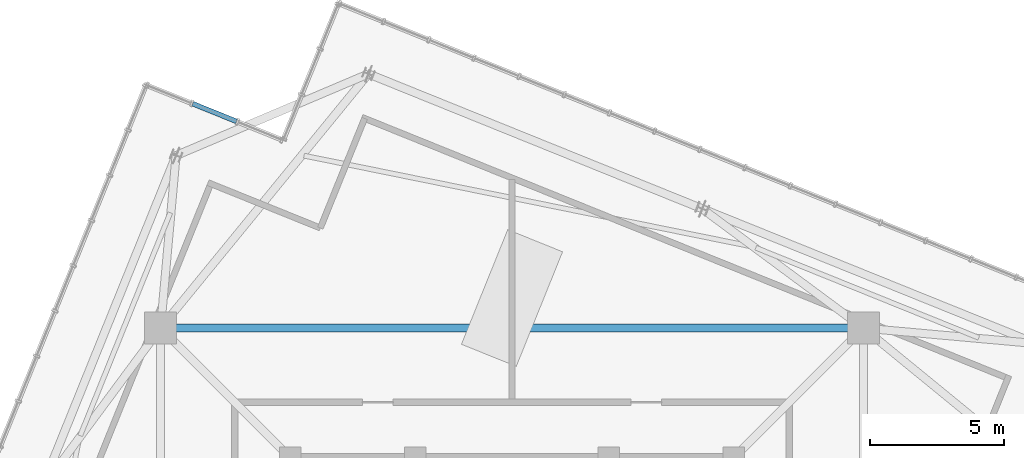
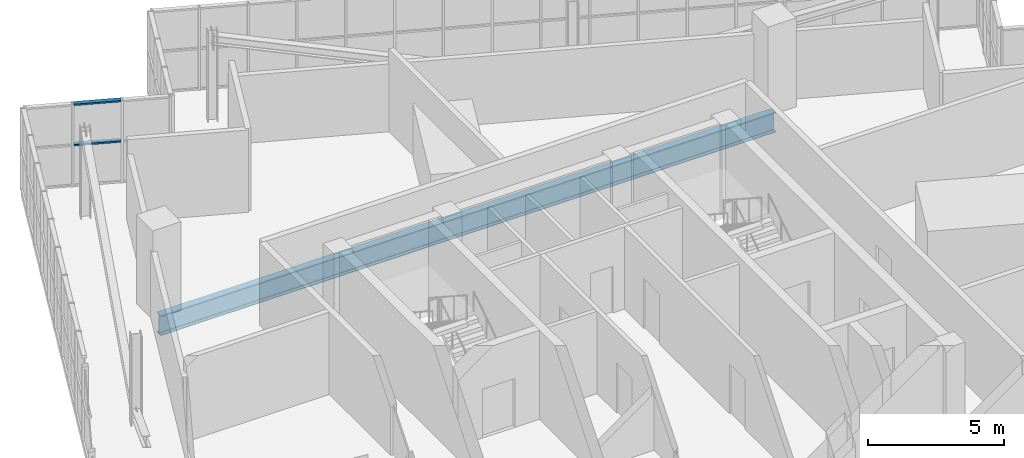
# One storey, part 13 of 26: 2 members, 1 beam, 1 element without a shape of its own.
"""IFC4 building model written with IfcOpenShell, lengths in metres."""

from ifc_helpers import new_model, si_unit, direction, frame, origin, origin_2d, place, context, subcontext, project, spatial, hollow_rectangle, i_section, extrude, source, transform, mapped, material, layer, layer_set, material_profile, profile_set, type_object, element, aggregate, save


model = new_model("IFC4")

# Units and contexts
model_context = context("Model", 3, precision=1e-05, world=origin(), true_north=direction((0.0, 1.0)))
body_context = subcontext(model_context, "Body", "Model", "MODEL_VIEW")
ifc_project = project(units=[si_unit("LENGTHUNIT", "METRE"), si_unit("AREAUNIT", "SQUARE_METRE"), si_unit("VOLUMEUNIT", "CUBIC_METRE"), si_unit("PLANEANGLEUNIT", "RADIAN"), si_unit("MASSUNIT", "GRAM", prefix="KILO"), si_unit("THERMODYNAMICTEMPERATUREUNIT", "KELVIN")], contexts=[model_context])

# Site, building, storey
site_placement = place(None, origin())
site = spatial("IfcSite", under=ifc_project, at=site_placement, CompositionType="ELEMENT")
building_placement = place(site_placement, origin())
building = spatial("IfcBuilding", under=site, at=building_placement, Name="Kosmvard Interchange Tower", CompositionType="ELEMENT")
storey_placement = place(building_placement, frame((0.0, 0.0, 325.60009765625)))
storey = spatial("IfcBuildingStorey", under=building, at=storey_placement, Name="L80", CompositionType="ELEMENT", Elevation=325.60009765625)

# Beam
ifc_material_1 = material(Name="Steel S355", Category="steel")
ifc_material_profile_1 = material_profile(ifc_material_1, i_section(OverallWidth=0.300048828125, OverallDepth=0.89990234375, WebThickness=0.0185546875, FlangeThickness=0.034912109375, FilletRadius=0.030029296875, at=origin_2d()), Name="HEB 900")
ifc_profile_set_1 = profile_set([ifc_material_profile_1], Name="Steel S355")
beam_type = type_object("IfcBeamType", Name="Mega-Column Ring Girder HEB 900 S355", PredefinedType="BEAM", material=ifc_profile_set_1)
shared_shape_1 = source(origin(), body_context, "Body", "SweptSolid", [
    extrude(i_section(OverallWidth=0.300048828125, OverallDepth=0.89990234375, WebThickness=0.0185546875, FlangeThickness=0.034912109375, FilletRadius=0.030029296875, at=origin_2d()), origin(), (0.0, 0.0, 1.0), 26.162109375),
])
beam_placement = place(storey_placement, frame((13.0810546875, 13.0810546875, -0.75), z_axis=(-1.0, 0.0, 0.0), x_axis=(0.0, -1.0, 0.0)))
element("IfcBeam", 1, at=beam_placement, inside=storey, type_object=beam_type, Name="L80 Mega-Column Ring Girder 3", PredefinedType="BEAM", context=body_context, shape_type="MappedRepresentation", body=[
    mapped(shared_shape_1, transform((0.0, 0.0, 0.0), scale=1.0)),
])

# Curtain wall, members
ifc_material_2 = material(Name="Architectural anodised aluminium", Category="aluminium")
ifc_layer = layer(ifc_material_2, 0.25, Name="Architectural anodised aluminium")
ifc_layer_set = layer_set([ifc_layer], Name="Architectural anodised aluminium")
curtain_wall_type = type_object("IfcCurtainWallType", Name="CW-6 Illuminated Crown Lantern Curtain Wall", PredefinedType="NOTDEFINED", material=ifc_layer_set)
curtain_wall_placement = place(storey_placement, origin())
curtain_wall = element("IfcCurtainWall", 2, at=curtain_wall_placement, inside=storey, type_object=curtain_wall_type, Name="L80 Crown Lantern Glazing Face 06", PredefinedType="NOTDEFINED")
ifc_material_profile_2 = material_profile(ifc_material_2, hollow_rectangle(XDim=0.179931640625, YDim=0.070068359375, WallThickness=0.0048828125, at=origin_2d()), Name="CWT 180x70x5")
ifc_profile_set_2 = profile_set([ifc_material_profile_2], Name="Architectural anodised aluminium")
member_type = type_object("IfcMemberType", Name="Heavy Lantern CW Transom 180x70 Aluminium", PredefinedType="USERDEFINED", material=ifc_profile_set_2)
shared_shape_2 = source(origin(), body_context, "Body", "SweptSolid", [
    extrude(hollow_rectangle(XDim=0.179931640625, YDim=0.070068359375, WallThickness=0.0048828125, at=origin_2d()), origin(), (0.0, 0.0, 1.0), 1.75341796875),
])
member_1_placement = place(storey_placement, frame((-10.257568359375, 20.775390625, 1.849853515625), z_axis=(-0.927203712676, 0.37455743912, 0.0), x_axis=(-0.37455743912, -0.927203712676, 0.0)))
member_1 = element("IfcMember", 3, at=member_1_placement, type_object=member_type, Name="CW-6 transom 2.2", ObjectType="TRANSOM", PredefinedType="USERDEFINED", context=body_context, shape_type="MappedRepresentation", body=[
    mapped(shared_shape_2, transform((0.0, 0.0, 0.0), scale=1.0)),
])
member_2_placement = place(storey_placement, frame((-10.257568359375, 20.775390625, 3.664794921875), z_axis=(-0.927203712676, 0.37455743912, 0.0), x_axis=(-0.37455743912, -0.927203712676, 0.0)))
member_2 = element("IfcMember", 4, at=member_2_placement, type_object=member_type, Name="CW-6 transom 2.3", ObjectType="TRANSOM", PredefinedType="USERDEFINED", context=body_context, shape_type="MappedRepresentation", body=[
    mapped(shared_shape_2, transform((0.0, 0.0, 0.0), scale=1.0)),
])
aggregate(curtain_wall, [member_1, member_2])

save(model, "model.ifc")
